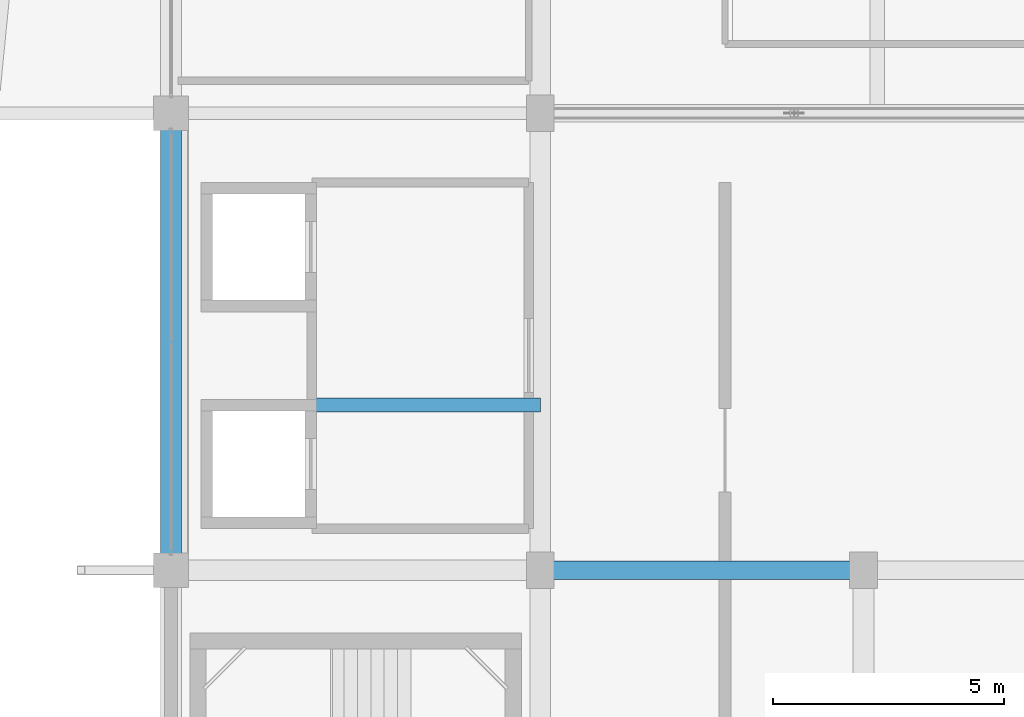
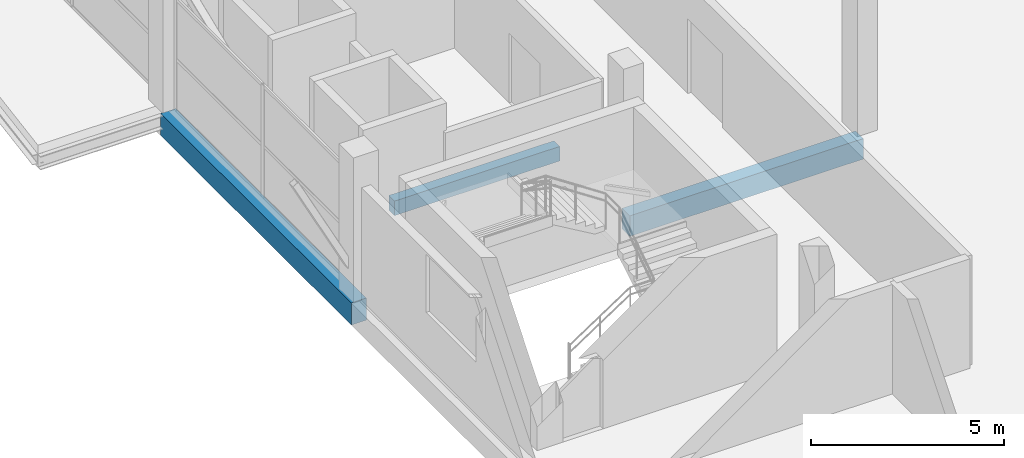
# One storey, part 7 of 58: 3 beams.
"""IFC4 building model written with IfcOpenShell, lengths in metres."""

from ifc_helpers import new_model, si_unit, direction, frame, origin, origin_2d, place, context, subcontext, project, spatial, rectangle, extrude, material, material_profile, profile_set, type_object, element, save


model = new_model("IFC4")

# Units and contexts
model_context = context("Model", 3, precision=1e-05, world=origin(), true_north=direction((0.0, 1.0)))
body_context = subcontext(model_context, "Body", "Model", "MODEL_VIEW")
ifc_project = project(units=[si_unit("LENGTHUNIT", "METRE"), si_unit("AREAUNIT", "SQUARE_METRE"), si_unit("VOLUMEUNIT", "CUBIC_METRE"), si_unit("PLANEANGLEUNIT", "RADIAN"), si_unit("MASSUNIT", "GRAM", prefix="KILO")], contexts=[model_context])

# Site, building, storey
site_placement = place(None, origin())
site = spatial("IfcSite", under=ifc_project, at=site_placement, CompositionType="ELEMENT")
building_placement = place(site_placement, origin())
building = spatial("IfcBuilding", under=site, at=building_placement, Name="Sillaruma Civic Art Gallery", CompositionType="ELEMENT")
storey_placement = place(building_placement, frame((0.0, 0.0, 28.56005859375)))
storey = spatial("IfcBuildingStorey", under=building, at=storey_placement, Name="L05", CompositionType="ELEMENT", Elevation=28.56005859375)

# Beams
ifc_material = material(Name="Concrete H35 (35 MPa)", Category="concrete")
ifc_material_profile_1 = material_profile(ifc_material, rectangle(XDim=0.39990234375, YDim=0.64990234375, at=origin_2d()), Name="RCB400x650")
ifc_profile_set_1 = profile_set([ifc_material_profile_1], Name="Concrete H35 (35 MPa)")
beam_type_1 = type_object("IfcBeamType", Name="BM-BEAM-RCB400x650", PredefinedType="BEAM", material=ifc_profile_set_1)
beam_1_placement = place(storey_placement, frame((70.0, 39.60009765625, -0.60498046875), z_axis=(1.0, 0.0, 0.0), x_axis=(0.0, 1.0, 0.0)))
element("IfcBeam", 1, at=beam_1_placement, inside=storey, type_object=beam_type_1, Name="Beam BM-05 (L04:5:G-H)", PredefinedType="BEAM", context=body_context, shape_type="SweptSolid", body=[
    extrude(rectangle(XDim=0.39990234375, YDim=0.64990234375, at=origin_2d()), origin(), (0.0, 0.0, 1.0), 7.0),
])
ifc_material_profile_2 = material_profile(ifc_material, rectangle(XDim=0.300048828125, YDim=0.4599609375, at=origin_2d()), Name="RCB300x460")
ifc_profile_set_2 = profile_set([ifc_material_profile_2], Name="Concrete H35 (35 MPa)")
beam_type_2 = type_object("IfcBeamType", Name="BM-LINTEL-RCB300x460", PredefinedType="LINTEL", material=ifc_profile_set_2)
beam_2_placement = place(storey_placement, frame((65.050048828125, 43.179931640625, -0.510009765625), z_axis=(1.0, 0.0, 0.0), x_axis=(0.0, 1.0, 0.0)))
element("IfcBeam", 2, at=beam_2_placement, inside=storey, type_object=beam_type_2, Name="Core Portal Coupling Lintel BL-01 (L04:PL1)", PredefinedType="LINTEL", context=body_context, shape_type="SweptSolid", body=[
    extrude(rectangle(XDim=0.300048828125, YDim=0.4599609375, at=origin_2d()), origin(), (0.0, 0.0, 1.0), 4.949951171875),
])
ifc_material_profile_3 = material_profile(ifc_material, rectangle(XDim=0.449951171875, YDim=0.699951171875, at=origin_2d()), Name="RCB450x700")
ifc_profile_set_3 = profile_set([ifc_material_profile_3], Name="Concrete H35 (35 MPa)")
beam_type_3 = type_object("IfcBeamType", Name="BM-SPANDREL-RCB450x700", PredefinedType="SPANDREL", material=ifc_profile_set_3)
beam_3_placement = place(storey_placement, frame((62.0, 39.60009765625, -0.630126953125), z_axis=(0.0, 1.0, 0.0), x_axis=(-1.0, 0.0, 0.0)))
element("IfcBeam", 3, at=beam_3_placement, inside=storey, type_object=beam_type_3, Name="Beam BS-03 (L04:F:5-6)", PredefinedType="SPANDREL", context=body_context, shape_type="SweptSolid", body=[
    extrude(rectangle(XDim=0.449951171875, YDim=0.699951171875, at=origin_2d()), origin(), (0.0, 0.0, 1.0), 9.89990234375),
])

save(model, "model.ifc")
